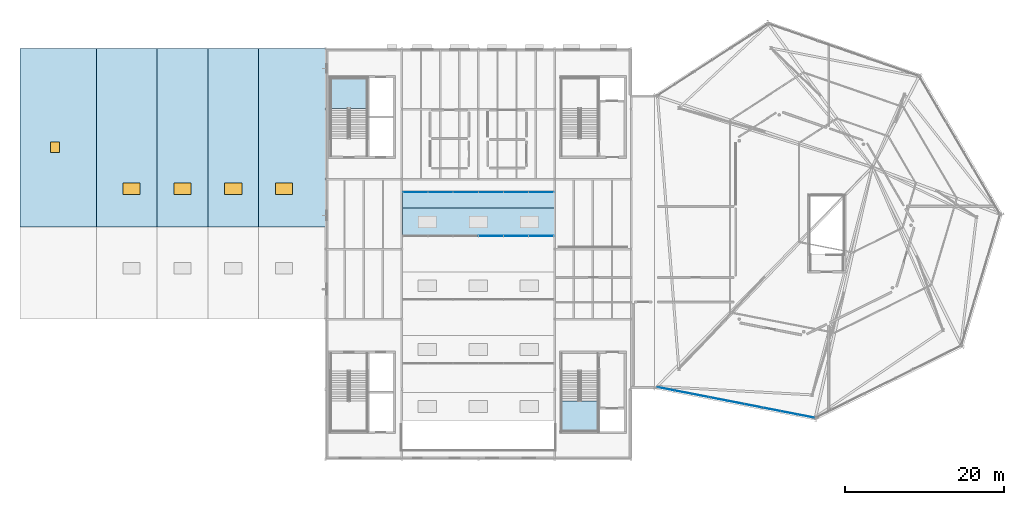
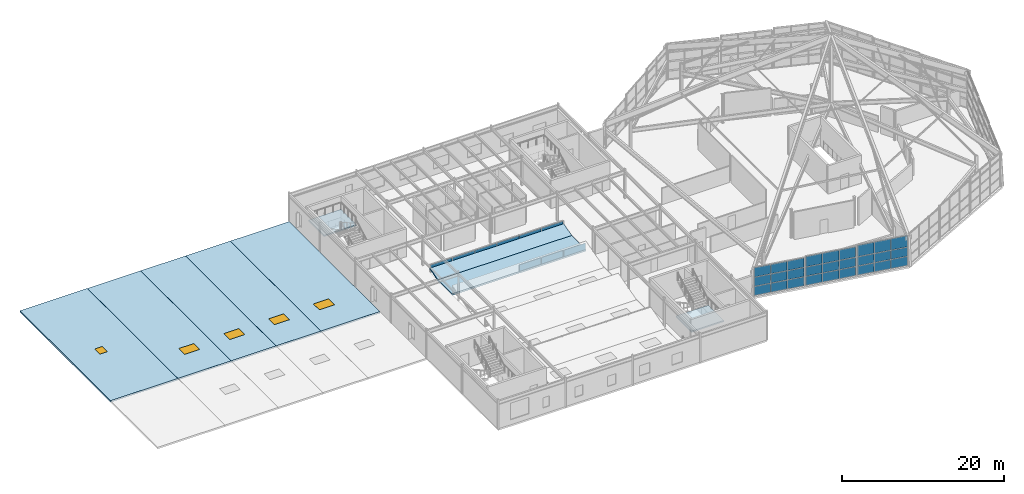
# One storey, part 25 of 50: 36 plates, 9 slabs, 4 windows, 1 door, 5 openings, 7 elements without a shape of their own.
"""IFC4 building model written with IfcOpenShell, lengths in metres."""

from ifc_helpers import new_model, si_unit, direction, frame, origin, origin_2d, place, context, subcontext, project, spatial, polyline, rectangle, outline, extrude, material, layer, layer_set, type_object, element, fill, aggregate, save


model = new_model("IFC4")

# Units and contexts
model_context = context("Model", 3, precision=1e-05, world=origin(), true_north=direction((0.0, 1.0)))
body_context = subcontext(model_context, "Body", "Model", "MODEL_VIEW")
ifc_project = project(units=[si_unit("LENGTHUNIT", "METRE"), si_unit("AREAUNIT", "SQUARE_METRE"), si_unit("VOLUMEUNIT", "CUBIC_METRE"), si_unit("PLANEANGLEUNIT", "RADIAN"), si_unit("MASSUNIT", "GRAM", prefix="KILO")], contexts=[model_context])

# Site, building, storey
site_placement = place(None, origin())
site = spatial("IfcSite", under=ifc_project, at=site_placement, CompositionType="ELEMENT")
building_placement = place(site_placement, origin())
building = spatial("IfcBuilding", under=site, at=building_placement, Name="Sarnbrook Museum", CompositionType="ELEMENT")
storey_placement = place(building_placement, frame((0.0, 0.0, 28.10009765625)))
storey = spatial("IfcBuildingStorey", under=building, at=storey_placement, Name="L05", CompositionType="ELEMENT", Elevation=28.10009765625)

# Curtain wall, plates
ifc_material_1 = material(Name="Thermally Broken Anodised Aluminium 6063-T6", Category="aluminium")
curtain_wall_type_1 = type_object("IfcCurtainWallType", Name="CurtainWall_CrystalFacet", PredefinedType="NOTDEFINED", material=ifc_material_1)
curtain_wall_1_placement = place(storey_placement, origin())
curtain_wall_1 = element("IfcCurtainWall", 1, at=curtain_wall_1_placement, inside=storey, type_object=curtain_wall_type_1, Name="Crystal Hall Facet Curtain Wall L05-F1.1", PredefinedType="NOTDEFINED")
ifc_material_2 = material(Name="Double-Glazed Low-Iron Laminated Safety Glass", Category="glass")
ifc_layer_1 = layer(ifc_material_2, 0.031982421875)
ifc_layer_set_1 = layer_set([ifc_layer_1], Name="Double-Glazed Low-Iron Laminated Safety Glass")
plate_type = type_object("IfcPlateType", Name="CW_GlazedPanel_32", PredefinedType="CURTAIN_PANEL", material=ifc_layer_set_1)
plate_1_placement = place(storey_placement, frame((123.60107421875, 65.652587890625, 0.699951171875), z_axis=(-0.191312099038, -0.981529256193, 0.0), x_axis=(0.981529256193, -0.191312099038, 0.0)))
plate_1 = element("IfcPlate", 2, at=plate_1_placement, type_object=plate_type, Name="Crystal Hall Facet Curtain Wall L05-F1.1 Glazed Panel 1-1", PredefinedType="CURTAIN_PANEL", context=body_context, shape_type="SweptSolid", body=[
    extrude(rectangle(XDim=2.124755859375, YDim=1.330078125, at=origin_2d()), origin(), (0.0, 0.0, 1.0), 0.031982421875),
])
plate_2_placement = place(storey_placement, frame((123.60107421875, 65.652587890625, 2.099853515625), z_axis=(-0.191312099038, -0.981529256193, 0.0), x_axis=(0.981529256193, -0.191312099038, 0.0)))
plate_2 = element("IfcPlate", 3, at=plate_2_placement, type_object=plate_type, Name="Crystal Hall Facet Curtain Wall L05-F1.1 Glazed Panel 1-2", PredefinedType="CURTAIN_PANEL", context=body_context, shape_type="SweptSolid", body=[
    extrude(rectangle(XDim=2.124755859375, YDim=1.330078125, at=origin_2d()), origin(), (0.0, 0.0, 1.0), 0.031982421875),
])
plate_3_placement = place(storey_placement, frame((123.60107421875, 65.652587890625, 3.539794921875), z_axis=(-0.191312099038, -0.981529256193, 0.0), x_axis=(0.981529256193, -0.191312099038, 0.0)))
plate_3 = element("IfcPlate", 4, at=plate_3_placement, type_object=plate_type, Name="Crystal Hall Facet Curtain Wall L05-F1.1 Glazed Panel 1-3", PredefinedType="CURTAIN_PANEL", context=body_context, shape_type="SweptSolid", body=[
    extrude(rectangle(XDim=2.124755859375, YDim=1.409912109375, at=origin_2d()), origin(), (0.0, 0.0, 1.0), 0.031982421875),
])
plate_4_placement = place(storey_placement, frame((125.760009765625, 65.231689453125, 0.699951171875), z_axis=(-0.191312099038, -0.981529256193, 0.0), x_axis=(0.981529256193, -0.191312099038, 0.0)))
plate_4 = element("IfcPlate", 5, at=plate_4_placement, type_object=plate_type, Name="Crystal Hall Facet Curtain Wall L05-F1.1 Glazed Panel 2-1", PredefinedType="CURTAIN_PANEL", context=body_context, shape_type="SweptSolid", body=[
    extrude(rectangle(XDim=2.124755859375, YDim=1.330078125, at=origin_2d()), origin(), (0.0, 0.0, 1.0), 0.031982421875),
])
plate_5_placement = place(storey_placement, frame((125.760009765625, 65.231689453125, 2.099853515625), z_axis=(-0.191312099038, -0.981529256193, 0.0), x_axis=(0.981529256193, -0.191312099038, 0.0)))
plate_5 = element("IfcPlate", 6, at=plate_5_placement, type_object=plate_type, Name="Crystal Hall Facet Curtain Wall L05-F1.1 Glazed Panel 2-2", PredefinedType="CURTAIN_PANEL", context=body_context, shape_type="SweptSolid", body=[
    extrude(rectangle(XDim=2.124755859375, YDim=1.330078125, at=origin_2d()), origin(), (0.0, 0.0, 1.0), 0.031982421875),
])
plate_6_placement = place(storey_placement, frame((125.760009765625, 65.231689453125, 3.539794921875), z_axis=(-0.191312099038, -0.981529256193, 0.0), x_axis=(0.981529256193, -0.191312099038, 0.0)))
plate_6 = element("IfcPlate", 7, at=plate_6_placement, type_object=plate_type, Name="Crystal Hall Facet Curtain Wall L05-F1.1 Glazed Panel 2-3", PredefinedType="CURTAIN_PANEL", context=body_context, shape_type="SweptSolid", body=[
    extrude(rectangle(XDim=2.124755859375, YDim=1.409912109375, at=origin_2d()), origin(), (0.0, 0.0, 1.0), 0.031982421875),
])
plate_7_placement = place(storey_placement, frame((127.919189453125, 64.81103515625, 0.699951171875), z_axis=(-0.191312099038, -0.981529256193, 0.0), x_axis=(0.981529256193, -0.191312099038, 0.0)))
plate_7 = element("IfcPlate", 8, at=plate_7_placement, type_object=plate_type, Name="Crystal Hall Facet Curtain Wall L05-F1.1 Glazed Panel 3-1", PredefinedType="CURTAIN_PANEL", context=body_context, shape_type="SweptSolid", body=[
    extrude(rectangle(XDim=2.124755859375, YDim=1.330078125, at=origin_2d()), origin(), (0.0, 0.0, 1.0), 0.031982421875),
])
plate_8_placement = place(storey_placement, frame((127.919189453125, 64.81103515625, 2.099853515625), z_axis=(-0.191312099038, -0.981529256193, 0.0), x_axis=(0.981529256193, -0.191312099038, 0.0)))
plate_8 = element("IfcPlate", 9, at=plate_8_placement, type_object=plate_type, Name="Crystal Hall Facet Curtain Wall L05-F1.1 Glazed Panel 3-2", PredefinedType="CURTAIN_PANEL", context=body_context, shape_type="SweptSolid", body=[
    extrude(rectangle(XDim=2.124755859375, YDim=1.330078125, at=origin_2d()), origin(), (0.0, 0.0, 1.0), 0.031982421875),
])
plate_9_placement = place(storey_placement, frame((127.919189453125, 64.81103515625, 3.539794921875), z_axis=(-0.191312099038, -0.981529256193, 0.0), x_axis=(0.981529256193, -0.191312099038, 0.0)))
plate_9 = element("IfcPlate", 10, at=plate_9_placement, type_object=plate_type, Name="Crystal Hall Facet Curtain Wall L05-F1.1 Glazed Panel 3-3", PredefinedType="CURTAIN_PANEL", context=body_context, shape_type="SweptSolid", body=[
    extrude(rectangle(XDim=2.124755859375, YDim=1.409912109375, at=origin_2d()), origin(), (0.0, 0.0, 1.0), 0.031982421875),
])
aggregate(curtain_wall_1, [plate_1, plate_2, plate_3, plate_4, plate_5, plate_6, plate_7, plate_8, plate_9])

curtain_wall_2_placement = place(storey_placement, origin())
curtain_wall_2 = element("IfcCurtainWall", 11, at=curtain_wall_2_placement, inside=storey, type_object=curtain_wall_type_1, Name="Crystal Hall Facet Curtain Wall L05-F1.2", PredefinedType="NOTDEFINED")
plate_10_placement = place(storey_placement, frame((130.2353515625, 64.359375, 0.699951171875), z_axis=(-0.191312099038, -0.981529256193, 0.0), x_axis=(0.981529256193, -0.191312099038, 0.0)))
plate_10 = element("IfcPlate", 12, at=plate_10_placement, type_object=plate_type, Name="Crystal Hall Facet Curtain Wall L05-F1.2 Glazed Panel 1-1", PredefinedType="CURTAIN_PANEL", context=body_context, shape_type="SweptSolid", body=[
    extrude(rectangle(XDim=2.124755859375, YDim=1.330078125, at=origin_2d()), origin(), (0.0, 0.0, 1.0), 0.031982421875),
])
plate_11_placement = place(storey_placement, frame((130.2353515625, 64.359375, 2.099853515625), z_axis=(-0.191312099038, -0.981529256193, 0.0), x_axis=(0.981529256193, -0.191312099038, 0.0)))
plate_11 = element("IfcPlate", 13, at=plate_11_placement, type_object=plate_type, Name="Crystal Hall Facet Curtain Wall L05-F1.2 Glazed Panel 1-2", PredefinedType="CURTAIN_PANEL", context=body_context, shape_type="SweptSolid", body=[
    extrude(rectangle(XDim=2.124755859375, YDim=1.330078125, at=origin_2d()), origin(), (0.0, 0.0, 1.0), 0.031982421875),
])
plate_12_placement = place(storey_placement, frame((130.2353515625, 64.359375, 3.614990234375), z_axis=(-0.191312099038, -0.981529256193, 0.0), x_axis=(0.981529256193, -0.191312099038, 0.0)))
plate_12 = element("IfcPlate", 14, at=plate_12_placement, type_object=plate_type, Name="Crystal Hall Facet Curtain Wall L05-F1.2 Glazed Panel 1-3", PredefinedType="CURTAIN_PANEL", context=body_context, shape_type="SweptSolid", body=[
    extrude(rectangle(XDim=2.124755859375, YDim=1.56005859375, at=origin_2d()), origin(), (0.0, 0.0, 1.0), 0.031982421875),
])
plate_13_placement = place(storey_placement, frame((132.394287109375, 63.938720703125, 0.699951171875), z_axis=(-0.191312099038, -0.981529256193, 0.0), x_axis=(0.981529256193, -0.191312099038, 0.0)))
plate_13 = element("IfcPlate", 15, at=plate_13_placement, type_object=plate_type, Name="Crystal Hall Facet Curtain Wall L05-F1.2 Glazed Panel 2-1", PredefinedType="CURTAIN_PANEL", context=body_context, shape_type="SweptSolid", body=[
    extrude(rectangle(XDim=2.124755859375, YDim=1.330078125, at=origin_2d()), origin(), (0.0, 0.0, 1.0), 0.031982421875),
])
plate_14_placement = place(storey_placement, frame((132.394287109375, 63.938720703125, 2.099853515625), z_axis=(-0.191312099038, -0.981529256193, 0.0), x_axis=(0.981529256193, -0.191312099038, 0.0)))
plate_14 = element("IfcPlate", 16, at=plate_14_placement, type_object=plate_type, Name="Crystal Hall Facet Curtain Wall L05-F1.2 Glazed Panel 2-2", PredefinedType="CURTAIN_PANEL", context=body_context, shape_type="SweptSolid", body=[
    extrude(rectangle(XDim=2.124755859375, YDim=1.330078125, at=origin_2d()), origin(), (0.0, 0.0, 1.0), 0.031982421875),
])
plate_15_placement = place(storey_placement, frame((132.394287109375, 63.938720703125, 3.614990234375), z_axis=(-0.191312099038, -0.981529256193, 0.0), x_axis=(0.981529256193, -0.191312099038, 0.0)))
plate_15 = element("IfcPlate", 17, at=plate_15_placement, type_object=plate_type, Name="Crystal Hall Facet Curtain Wall L05-F1.2 Glazed Panel 2-3", PredefinedType="CURTAIN_PANEL", context=body_context, shape_type="SweptSolid", body=[
    extrude(rectangle(XDim=2.124755859375, YDim=1.56005859375, at=origin_2d()), origin(), (0.0, 0.0, 1.0), 0.031982421875),
])
plate_16_placement = place(storey_placement, frame((134.553466796875, 63.517822265625, 0.699951171875), z_axis=(-0.191312099038, -0.981529256193, 0.0), x_axis=(0.981529256193, -0.191312099038, 0.0)))
plate_16 = element("IfcPlate", 18, at=plate_16_placement, type_object=plate_type, Name="Crystal Hall Facet Curtain Wall L05-F1.2 Glazed Panel 3-1", PredefinedType="CURTAIN_PANEL", context=body_context, shape_type="SweptSolid", body=[
    extrude(rectangle(XDim=2.124755859375, YDim=1.330078125, at=origin_2d()), origin(), (0.0, 0.0, 1.0), 0.031982421875),
])
plate_17_placement = place(storey_placement, frame((134.553466796875, 63.517822265625, 2.099853515625), z_axis=(-0.191312099038, -0.981529256193, 0.0), x_axis=(0.981529256193, -0.191312099038, 0.0)))
plate_17 = element("IfcPlate", 19, at=plate_17_placement, type_object=plate_type, Name="Crystal Hall Facet Curtain Wall L05-F1.2 Glazed Panel 3-2", PredefinedType="CURTAIN_PANEL", context=body_context, shape_type="SweptSolid", body=[
    extrude(rectangle(XDim=2.124755859375, YDim=1.330078125, at=origin_2d()), origin(), (0.0, 0.0, 1.0), 0.031982421875),
])
plate_18_placement = place(storey_placement, frame((134.553466796875, 63.517822265625, 3.614990234375), z_axis=(-0.191312099038, -0.981529256193, 0.0), x_axis=(0.981529256193, -0.191312099038, 0.0)))
plate_18 = element("IfcPlate", 20, at=plate_18_placement, type_object=plate_type, Name="Crystal Hall Facet Curtain Wall L05-F1.2 Glazed Panel 3-3", PredefinedType="CURTAIN_PANEL", context=body_context, shape_type="SweptSolid", body=[
    extrude(rectangle(XDim=2.124755859375, YDim=1.56005859375, at=origin_2d()), origin(), (0.0, 0.0, 1.0), 0.031982421875),
])
aggregate(curtain_wall_2, [plate_10, plate_11, plate_12, plate_13, plate_14, plate_15, plate_16, plate_17, plate_18])

curtain_wall_3_placement = place(storey_placement, origin())
curtain_wall_3 = element("IfcCurtainWall", 21, at=curtain_wall_3_placement, inside=storey, type_object=curtain_wall_type_1, Name="Crystal Hall Facet Curtain Wall L05-F1.3", PredefinedType="NOTDEFINED")
plate_19_placement = place(storey_placement, frame((136.86962890625, 63.06640625, 0.699951171875), z_axis=(-0.191312099038, -0.981529256193, 0.0), x_axis=(0.981529256193, -0.191312099038, 0.0)))
plate_19 = element("IfcPlate", 22, at=plate_19_placement, type_object=plate_type, Name="Crystal Hall Facet Curtain Wall L05-F1.3 Glazed Panel 1-1", PredefinedType="CURTAIN_PANEL", context=body_context, shape_type="SweptSolid", body=[
    extrude(rectangle(XDim=2.124755859375, YDim=1.330078125, at=origin_2d()), origin(), (0.0, 0.0, 1.0), 0.031982421875),
])
plate_20_placement = place(storey_placement, frame((136.86962890625, 63.06640625, 2.099853515625), z_axis=(-0.191312099038, -0.981529256193, 0.0), x_axis=(0.981529256193, -0.191312099038, 0.0)))
plate_20 = element("IfcPlate", 23, at=plate_20_placement, type_object=plate_type, Name="Crystal Hall Facet Curtain Wall L05-F1.3 Glazed Panel 1-2", PredefinedType="CURTAIN_PANEL", context=body_context, shape_type="SweptSolid", body=[
    extrude(rectangle(XDim=2.124755859375, YDim=1.330078125, at=origin_2d()), origin(), (0.0, 0.0, 1.0), 0.031982421875),
])
plate_21_placement = place(storey_placement, frame((136.86962890625, 63.06640625, 3.68994140625), z_axis=(-0.191312099038, -0.981529256193, 0.0), x_axis=(0.981529256193, -0.191312099038, 0.0)))
plate_21 = element("IfcPlate", 24, at=plate_21_placement, type_object=plate_type, Name="Crystal Hall Facet Curtain Wall L05-F1.3 Glazed Panel 1-3", PredefinedType="CURTAIN_PANEL", context=body_context, shape_type="SweptSolid", body=[
    extrude(rectangle(XDim=2.124755859375, YDim=1.7099609375, at=origin_2d()), origin(), (0.0, 0.0, 1.0), 0.031982421875),
])
plate_22_placement = place(storey_placement, frame((139.028564453125, 62.6455078125, 0.699951171875), z_axis=(-0.191312099038, -0.981529256193, 0.0), x_axis=(0.981529256193, -0.191312099038, 0.0)))
plate_22 = element("IfcPlate", 25, at=plate_22_placement, type_object=plate_type, Name="Crystal Hall Facet Curtain Wall L05-F1.3 Glazed Panel 2-1", PredefinedType="CURTAIN_PANEL", context=body_context, shape_type="SweptSolid", body=[
    extrude(rectangle(XDim=2.124755859375, YDim=1.330078125, at=origin_2d()), origin(), (0.0, 0.0, 1.0), 0.031982421875),
])
plate_23_placement = place(storey_placement, frame((139.028564453125, 62.6455078125, 2.099853515625), z_axis=(-0.191312099038, -0.981529256193, 0.0), x_axis=(0.981529256193, -0.191312099038, 0.0)))
plate_23 = element("IfcPlate", 26, at=plate_23_placement, type_object=plate_type, Name="Crystal Hall Facet Curtain Wall L05-F1.3 Glazed Panel 2-2", PredefinedType="CURTAIN_PANEL", context=body_context, shape_type="SweptSolid", body=[
    extrude(rectangle(XDim=2.124755859375, YDim=1.330078125, at=origin_2d()), origin(), (0.0, 0.0, 1.0), 0.031982421875),
])
plate_24_placement = place(storey_placement, frame((139.028564453125, 62.6455078125, 3.68994140625), z_axis=(-0.191312099038, -0.981529256193, 0.0), x_axis=(0.981529256193, -0.191312099038, 0.0)))
plate_24 = element("IfcPlate", 27, at=plate_24_placement, type_object=plate_type, Name="Crystal Hall Facet Curtain Wall L05-F1.3 Glazed Panel 2-3", PredefinedType="CURTAIN_PANEL", context=body_context, shape_type="SweptSolid", body=[
    extrude(rectangle(XDim=2.124755859375, YDim=1.7099609375, at=origin_2d()), origin(), (0.0, 0.0, 1.0), 0.031982421875),
])
plate_25_placement = place(storey_placement, frame((141.187744140625, 62.224609375, 0.699951171875), z_axis=(-0.191312099038, -0.981529256193, 0.0), x_axis=(0.981529256193, -0.191312099038, 0.0)))
plate_25 = element("IfcPlate", 28, at=plate_25_placement, type_object=plate_type, Name="Crystal Hall Facet Curtain Wall L05-F1.3 Glazed Panel 3-1", PredefinedType="CURTAIN_PANEL", context=body_context, shape_type="SweptSolid", body=[
    extrude(rectangle(XDim=2.124755859375, YDim=1.330078125, at=origin_2d()), origin(), (0.0, 0.0, 1.0), 0.031982421875),
])
plate_26_placement = place(storey_placement, frame((141.187744140625, 62.224609375, 2.099853515625), z_axis=(-0.191312099038, -0.981529256193, 0.0), x_axis=(0.981529256193, -0.191312099038, 0.0)))
plate_26 = element("IfcPlate", 29, at=plate_26_placement, type_object=plate_type, Name="Crystal Hall Facet Curtain Wall L05-F1.3 Glazed Panel 3-2", PredefinedType="CURTAIN_PANEL", context=body_context, shape_type="SweptSolid", body=[
    extrude(rectangle(XDim=2.124755859375, YDim=1.330078125, at=origin_2d()), origin(), (0.0, 0.0, 1.0), 0.031982421875),
])
plate_27_placement = place(storey_placement, frame((141.187744140625, 62.224609375, 3.68994140625), z_axis=(-0.191312099038, -0.981529256193, 0.0), x_axis=(0.981529256193, -0.191312099038, 0.0)))
plate_27 = element("IfcPlate", 30, at=plate_27_placement, type_object=plate_type, Name="Crystal Hall Facet Curtain Wall L05-F1.3 Glazed Panel 3-3", PredefinedType="CURTAIN_PANEL", context=body_context, shape_type="SweptSolid", body=[
    extrude(rectangle(XDim=2.124755859375, YDim=1.7099609375, at=origin_2d()), origin(), (0.0, 0.0, 1.0), 0.031982421875),
])
aggregate(curtain_wall_3, [plate_19, plate_20, plate_21, plate_22, plate_23, plate_24, plate_25, plate_26, plate_27])

curtain_wall_type_2 = type_object("IfcCurtainWallType", Name="CurtainWall_Sawtooth", PredefinedType="NOTDEFINED", material=ifc_material_1)
curtain_wall_4_placement = place(storey_placement, origin())
curtain_wall_4 = element("IfcCurtainWall", 31, at=curtain_wall_4_placement, inside=storey, type_object=curtain_wall_type_2, Name="Atrium Sawtooth North-Light Clerestory 3", PredefinedType="NOTDEFINED")
plate_28_placement = place(storey_placement, frame((101.583251953125, 84.85791015625, 0.52490234375), z_axis=(0.0, -1.0, 0.0), x_axis=(1.0, 0.0, 0.0)))
plate_28 = element("IfcPlate", 32, at=plate_28_placement, type_object=plate_type, Name="Atrium Sawtooth North-Light Clerestory 3 Glazed Panel 4-1", PredefinedType="CURTAIN_PANEL", context=body_context, shape_type="SweptSolid", body=[
    extrude(rectangle(XDim=3.091796875, YDim=0.97998046875, at=origin_2d()), origin(), (0.0, 0.0, 1.0), 0.031982421875),
])
plate_29_placement = place(storey_placement, frame((104.75, 84.85791015625, 0.52490234375), z_axis=(0.0, -1.0, 0.0), x_axis=(1.0, 0.0, 0.0)))
plate_29 = element("IfcPlate", 33, at=plate_29_placement, type_object=plate_type, Name="Atrium Sawtooth North-Light Clerestory 3 Glazed Panel 5-1", PredefinedType="CURTAIN_PANEL", context=body_context, shape_type="SweptSolid", body=[
    extrude(rectangle(XDim=3.091796875, YDim=0.97998046875, at=origin_2d()), origin(), (0.0, 0.0, 1.0), 0.031982421875),
])
plate_30_placement = place(storey_placement, frame((107.916748046875, 84.85791015625, 0.52490234375), z_axis=(0.0, -1.0, 0.0), x_axis=(1.0, 0.0, 0.0)))
plate_30 = element("IfcPlate", 34, at=plate_30_placement, type_object=plate_type, Name="Atrium Sawtooth North-Light Clerestory 3 Glazed Panel 6-1", PredefinedType="CURTAIN_PANEL", context=body_context, shape_type="SweptSolid", body=[
    extrude(rectangle(XDim=3.091796875, YDim=0.97998046875, at=origin_2d()), origin(), (0.0, 0.0, 1.0), 0.031982421875),
])
aggregate(curtain_wall_4, [plate_28, plate_29, plate_30])

curtain_wall_5_placement = place(storey_placement, origin())
curtain_wall_5 = element("IfcCurtainWall", 35, at=curtain_wall_5_placement, inside=storey, type_object=curtain_wall_type_2, Name="Atrium Sawtooth North-Light Clerestory 4", PredefinedType="NOTDEFINED")
plate_31_placement = place(storey_placement, frame((92.083251953125, 90.35791015625, 0.52490234375), z_axis=(0.0, -1.0, 0.0), x_axis=(1.0, 0.0, 0.0)))
plate_31 = element("IfcPlate", 36, at=plate_31_placement, type_object=plate_type, Name="Atrium Sawtooth North-Light Clerestory 4 Glazed Panel 1-1", PredefinedType="CURTAIN_PANEL", context=body_context, shape_type="SweptSolid", body=[
    extrude(rectangle(XDim=3.091796875, YDim=0.97998046875, at=origin_2d()), origin(), (0.0, 0.0, 1.0), 0.031982421875),
])
plate_32_placement = place(storey_placement, frame((95.25, 90.35791015625, 0.52490234375), z_axis=(0.0, -1.0, 0.0), x_axis=(1.0, 0.0, 0.0)))
plate_32 = element("IfcPlate", 37, at=plate_32_placement, type_object=plate_type, Name="Atrium Sawtooth North-Light Clerestory 4 Glazed Panel 2-1", PredefinedType="CURTAIN_PANEL", context=body_context, shape_type="SweptSolid", body=[
    extrude(rectangle(XDim=3.091796875, YDim=0.97998046875, at=origin_2d()), origin(), (0.0, 0.0, 1.0), 0.031982421875),
])
plate_33_placement = place(storey_placement, frame((98.416748046875, 90.35791015625, 0.52490234375), z_axis=(0.0, -1.0, 0.0), x_axis=(1.0, 0.0, 0.0)))
plate_33 = element("IfcPlate", 38, at=plate_33_placement, type_object=plate_type, Name="Atrium Sawtooth North-Light Clerestory 4 Glazed Panel 3-1", PredefinedType="CURTAIN_PANEL", context=body_context, shape_type="SweptSolid", body=[
    extrude(rectangle(XDim=3.091796875, YDim=0.97998046875, at=origin_2d()), origin(), (0.0, 0.0, 1.0), 0.031982421875),
])
plate_34_placement = place(storey_placement, frame((101.583251953125, 90.35791015625, 0.52490234375), z_axis=(0.0, -1.0, 0.0), x_axis=(1.0, 0.0, 0.0)))
plate_34 = element("IfcPlate", 39, at=plate_34_placement, type_object=plate_type, Name="Atrium Sawtooth North-Light Clerestory 4 Glazed Panel 4-1", PredefinedType="CURTAIN_PANEL", context=body_context, shape_type="SweptSolid", body=[
    extrude(rectangle(XDim=3.091796875, YDim=0.97998046875, at=origin_2d()), origin(), (0.0, 0.0, 1.0), 0.031982421875),
])
plate_35_placement = place(storey_placement, frame((104.75, 90.35791015625, 0.52490234375), z_axis=(0.0, -1.0, 0.0), x_axis=(1.0, 0.0, 0.0)))
plate_35 = element("IfcPlate", 40, at=plate_35_placement, type_object=plate_type, Name="Atrium Sawtooth North-Light Clerestory 4 Glazed Panel 5-1", PredefinedType="CURTAIN_PANEL", context=body_context, shape_type="SweptSolid", body=[
    extrude(rectangle(XDim=3.091796875, YDim=0.97998046875, at=origin_2d()), origin(), (0.0, 0.0, 1.0), 0.031982421875),
])
plate_36_placement = place(storey_placement, frame((107.916748046875, 90.35791015625, 0.52490234375), z_axis=(0.0, -1.0, 0.0), x_axis=(1.0, 0.0, 0.0)))
plate_36 = element("IfcPlate", 41, at=plate_36_placement, type_object=plate_type, Name="Atrium Sawtooth North-Light Clerestory 4 Glazed Panel 6-1", PredefinedType="CURTAIN_PANEL", context=body_context, shape_type="SweptSolid", body=[
    extrude(rectangle(XDim=3.091796875, YDim=0.97998046875, at=origin_2d()), origin(), (0.0, 0.0, 1.0), 0.031982421875),
])
aggregate(curtain_wall_5, [plate_31, plate_32, plate_33, plate_34, plate_35, plate_36])

# Stair, slab
ifc_material_3 = material(Name="Concrete N40 (AS 3600, f'c = 40 MPa)", Category="concrete")
stair_type = type_object("IfcStairType", Name="Stair_ST03", PredefinedType="HALF_TURN_STAIR", material=ifc_material_3)
stair_1_placement = place(storey_placement, origin())
stair_1 = element("IfcStair", 42, at=stair_1_placement, inside=storey, type_object=stair_type, Name="L05 Exit Stair ST1", PredefinedType="HALF_TURN_STAIR")
ifc_layer_2 = layer(ifc_material_3, 0.199951171875)
ifc_layer_set_2 = layer_set([ifc_layer_2], Name="Concrete N40 (AS 3600, f'c = 40 MPa)")
slab_type_1 = type_object("IfcSlabType", Name="Landing_200", PredefinedType="LANDING", material=ifc_layer_set_2)
slab_1_placement = place(storey_placement, frame((0.0, 0.0, 2.0498046875)))
slab_1 = element("IfcSlab", 43, at=slab_1_placement, type_object=slab_type_1, Name="ST1 landing 1", PredefinedType="LANDING", context=body_context, shape_type="SweptSolid", body=[
    extrude(outline(polyline([(110.43994140625, 64.110107421875), (110.43994140625, 60.300048828125), (115.06005859375, 60.300048828125), (115.06005859375, 64.110107421875), (110.43994140625, 64.110107421875)])), origin(), (0.0, 0.0, 1.0), 0.2001953125),
])
aggregate(stair_1, [slab_1])

stair_2_placement = place(storey_placement, origin())
stair_2 = element("IfcStair", 44, at=stair_2_placement, inside=storey, type_object=stair_type, Name="L05 Exit Stair ST4", PredefinedType="HALF_TURN_STAIR")
slab_2_placement = place(storey_placement, frame((0.0, 0.0, 2.0498046875)))
slab_2 = element("IfcSlab", 45, at=slab_2_placement, type_object=slab_type_1, Name="ST4 landing 1", PredefinedType="LANDING", context=body_context, shape_type="SweptSolid", body=[
    extrude(outline(polyline([(86.06005859375, 100.889892578125), (86.06005859375, 104.699951171875), (81.43994140625, 104.699951171875), (81.43994140625, 100.889892578125), (86.06005859375, 100.889892578125)])), origin(), (0.0, 0.0, 1.0), 0.2001953125),
])
aggregate(stair_2, [slab_2])

# Slab
ifc_layer_3 = layer(ifc_material_3, 0.25)
ifc_layer_set_3 = layer_set([ifc_layer_3], Name="Concrete N40 (AS 3600, f'c = 40 MPa)")
slab_type_2 = type_object("IfcSlabType", Name="RoofSlab_Curb250", PredefinedType="ROOF", material=ifc_layer_set_3)
slab_3_placement = place(storey_placement, frame((0.0, 0.0, -0.25)))
element("IfcSlab", 46, at=slab_3_placement, inside=storey, type_object=slab_type_2, Name="Atrium North-Light Skylight Curb Slab 4", PredefinedType="ROOF", context=body_context, shape_type="SweptSolid", body=[
    extrude(outline(polyline([(90.449951171875, 84.85009765625), (90.449951171875, 88.35009765625), (109.550048828125, 88.35009765625), (109.550048828125, 84.85009765625), (90.449951171875, 84.85009765625)])), origin(), (0.0, 0.0, 1.0), 0.25),
])

# Slab, opening, door
slab_4_placement = place(storey_placement, frame((0.0, 0.0, -0.25)))
slab_4 = element("IfcSlab", 47, at=slab_4_placement, inside=storey, type_object=slab_type_2, Name="Conservation Laboratory Roof Slab 1-2", PredefinedType="ROOF", context=body_context, shape_type="SweptSolid", body=[
    extrude(outline(polyline([(42.39990234375, 108.39990234375), (52.0, 108.39990234375), (52.0, 86.00390625), (42.39990234375, 86.00390625), (42.39990234375, 108.39990234375)])), origin(), (0.0, 0.0, 1.0), 0.25),
])
opening_1_placement = place(slab_4_placement, frame((46.800048828125, 96.0, -0.010009765625)))
opening_1 = element("IfcOpeningElement", 48, at=opening_1_placement, cuts=slab_4, Name="Opening RH-03", PredefinedType="OPENING", context=body_context, shape_type="SweptSolid", body=[
    extrude(rectangle(XDim=1.10009765625, YDim=1.300048828125, at=origin_2d()), origin(), (0.0, 0.0, 1.0), 0.27001953125),
])
ifc_material_4 = material(Name="Brushed Stainless Steel Grade 316", Category="steel")
door_type = type_object("IfcDoorType", Name="HatchType_HT1", OperationType="SINGLE_SWING_LEFT", PredefinedType="TRAPDOOR", material=ifc_material_4)
door_placement = place(opening_1_placement, frame((0.0, 0.0, 0.219970703125)))
door = element("IfcDoor", 49, at=door_placement, inside=storey, type_object=door_type, Name="Roof Maintenance Access Hatch RH-03", OperationType="SINGLE_SWING_LEFT", OverallHeight=1.300048828125, OverallWidth=1.10009765625, PredefinedType="TRAPDOOR", context=body_context, shape_type="SweptSolid", body=[
    extrude(rectangle(XDim=1.10009765625, YDim=1.300048828125, at=origin_2d()), origin(), (0.0, 0.0, 1.0), 0.0400390625),
])
fill(opening_1, door)

# Slab, opening, window
slab_5_placement = place(storey_placement, frame((0.0, 0.0, -0.25)))
slab_5 = element("IfcSlab", 50, at=slab_5_placement, inside=storey, type_object=slab_type_2, Name="Conservation Laboratory Roof Slab 2-2", PredefinedType="ROOF", context=body_context, shape_type="SweptSolid", body=[
    extrude(outline(polyline([(59.60009765625, 108.39990234375), (59.60009765625, 86.00390625), (52.00390625, 86.00390625), (52.00390625, 108.39990234375), (59.60009765625, 108.39990234375)])), origin(), (0.0, 0.0, 1.0), 0.25),
])
opening_2_placement = place(slab_5_placement, frame((56.39990234375, 90.800048828125, -0.010009765625)))
opening_2 = element("IfcOpeningElement", 51, at=opening_2_placement, cuts=slab_5, Name="Opening RL-17", PredefinedType="OPENING", context=body_context, shape_type="SweptSolid", body=[
    extrude(rectangle(XDim=2.14990234375, YDim=1.449951171875, at=origin_2d()), origin(), (0.0, 0.0, 1.0), 0.27001953125),
])
ifc_material_5 = material(Name="Ceramic-Fritted Double-Glazed Low-Iron Glass", Category="glass")
window_type = type_object("IfcWindowType", Name="Skylight_NorthLight_2", PartitioningType="SINGLE_PANEL", PredefinedType="SKYLIGHT", material=ifc_material_5)
window_1_placement = place(opening_2_placement, frame((0.0, 0.0, 0.219970703125)))
window_1 = element("IfcWindow", 52, at=window_1_placement, inside=storey, type_object=window_type, Name="North-Light Rooflight RL-17", OverallHeight=1.449951171875, OverallWidth=2.14990234375, PartitioningType="SINGLE_PANEL", PredefinedType="SKYLIGHT", context=body_context, shape_type="SweptSolid", body=[
    extrude(rectangle(XDim=2.14990234375, YDim=1.449951171875, at=origin_2d()), origin(), (0.0, 0.0, 1.0), 0.0400390625),
])
fill(opening_2, window_1)

slab_6_placement = place(storey_placement, frame((0.0, 0.0, -0.25)))
slab_6 = element("IfcSlab", 53, at=slab_6_placement, inside=storey, type_object=slab_type_2, Name="Conservation Laboratory Roof Slab 3-2", PredefinedType="ROOF", context=body_context, shape_type="SweptSolid", body=[
    extrude(outline(polyline([(66.0, 108.39990234375), (66.0, 86.00390625), (59.60400390625, 86.00390625), (59.60400390625, 108.39990234375), (66.0, 108.39990234375)])), origin(), (0.0, 0.0, 1.0), 0.25),
])
opening_3_placement = place(slab_6_placement, frame((62.800048828125, 90.800048828125, -0.010009765625)))
opening_3 = element("IfcOpeningElement", 54, at=opening_3_placement, cuts=slab_6, Name="Opening RL-18", PredefinedType="OPENING", context=body_context, shape_type="SweptSolid", body=[
    extrude(rectangle(XDim=2.14990234375, YDim=1.449951171875, at=origin_2d()), origin(), (0.0, 0.0, 1.0), 0.27001953125),
])
window_2_placement = place(opening_3_placement, frame((0.0, 0.0, 0.219970703125)))
window_2 = element("IfcWindow", 55, at=window_2_placement, inside=storey, type_object=window_type, Name="North-Light Rooflight RL-18", OverallHeight=1.449951171875, OverallWidth=2.14990234375, PartitioningType="SINGLE_PANEL", PredefinedType="SKYLIGHT", context=body_context, shape_type="SweptSolid", body=[
    extrude(rectangle(XDim=2.14990234375, YDim=1.449951171875, at=origin_2d()), origin(), (0.0, 0.0, 1.0), 0.0400390625),
])
fill(opening_3, window_2)

slab_7_placement = place(storey_placement, frame((0.0, 0.0, -0.25)))
slab_7 = element("IfcSlab", 56, at=slab_7_placement, inside=storey, type_object=slab_type_2, Name="Conservation Laboratory Roof Slab 4-2", PredefinedType="ROOF", context=body_context, shape_type="SweptSolid", body=[
    extrude(outline(polyline([(72.39990234375, 108.39990234375), (72.39990234375, 86.00390625), (66.00390625, 86.00390625), (66.00390625, 108.39990234375), (72.39990234375, 108.39990234375)])), origin(), (0.0, 0.0, 1.0), 0.25),
])
opening_4_placement = place(slab_7_placement, frame((69.199951171875, 90.800048828125, -0.010009765625)))
opening_4 = element("IfcOpeningElement", 57, at=opening_4_placement, cuts=slab_7, Name="Opening RL-19", PredefinedType="OPENING", context=body_context, shape_type="SweptSolid", body=[
    extrude(rectangle(XDim=2.14990234375, YDim=1.449951171875, at=origin_2d()), origin(), (0.0, 0.0, 1.0), 0.27001953125),
])
window_3_placement = place(opening_4_placement, frame((0.0, 0.0, 0.219970703125)))
window_3 = element("IfcWindow", 58, at=window_3_placement, inside=storey, type_object=window_type, Name="North-Light Rooflight RL-19", OverallHeight=1.449951171875, OverallWidth=2.14990234375, PartitioningType="SINGLE_PANEL", PredefinedType="SKYLIGHT", context=body_context, shape_type="SweptSolid", body=[
    extrude(rectangle(XDim=2.14990234375, YDim=1.449951171875, at=origin_2d()), origin(), (0.0, 0.0, 1.0), 0.0400390625),
])
fill(opening_4, window_3)

slab_8_placement = place(storey_placement, frame((0.0, 0.0, -0.25)))
slab_8 = element("IfcSlab", 59, at=slab_8_placement, inside=storey, type_object=slab_type_2, Name="Conservation Laboratory Roof Slab 5-2", PredefinedType="ROOF", context=body_context, shape_type="SweptSolid", body=[
    extrude(outline(polyline([(80.800048828125, 108.39990234375), (80.800048828125, 86.00390625), (72.404052734375, 86.00390625), (72.404052734375, 108.39990234375), (80.800048828125, 108.39990234375)])), origin(), (0.0, 0.0, 1.0), 0.25),
])
opening_5_placement = place(slab_8_placement, frame((75.60009765625, 90.800048828125, -0.010009765625)))
opening_5 = element("IfcOpeningElement", 60, at=opening_5_placement, cuts=slab_8, Name="Opening RL-20", PredefinedType="OPENING", context=body_context, shape_type="SweptSolid", body=[
    extrude(rectangle(XDim=2.14990234375, YDim=1.449951171875, at=origin_2d()), origin(), (0.0, 0.0, 1.0), 0.27001953125),
])
window_4_placement = place(opening_5_placement, frame((0.0, 0.0, 0.219970703125)))
window_4 = element("IfcWindow", 61, at=window_4_placement, inside=storey, type_object=window_type, Name="North-Light Rooflight RL-20", OverallHeight=1.449951171875, OverallWidth=2.14990234375, PartitioningType="SINGLE_PANEL", PredefinedType="SKYLIGHT", context=body_context, shape_type="SweptSolid", body=[
    extrude(rectangle(XDim=2.14990234375, YDim=1.449951171875, at=origin_2d()), origin(), (0.0, 0.0, 1.0), 0.0400390625),
])
fill(opening_5, window_4)

# Slab
ifc_layer_4 = layer(ifc_material_3, 0.219970703125)
ifc_layer_set_4 = layer_set([ifc_layer_4], Name="Concrete N40 (AS 3600, f'c = 40 MPa)")
slab_type_3 = type_object("IfcSlabType", Name="RoofSlab_Sawtooth220", PredefinedType="ROOF", material=ifc_layer_set_4)
slab_9_placement = place(storey_placement, frame((90.449951171875, 88.35009765625, 0.0), z_axis=(0.0, -0.275418508255, 0.961324422508), x_axis=(1.0, 0.0, 0.0)))
element("IfcSlab", 62, at=slab_9_placement, inside=storey, type_object=slab_type_3, Name="Atrium Sawtooth Sloped Roof Slab 4", PredefinedType="ROOF", context=body_context, shape_type="SweptSolid", body=[
    extrude(outline(polyline([(0.0, 0.0), (19.10009765625, 0.0), (19.10009765625, 2.0804631123196025), (0.0, 2.0804631123196025), (0.0, 0.0)])), origin(), (0.0, 0.0, -1.0), 0.219970703125),
])

save(model, "model.ifc")
